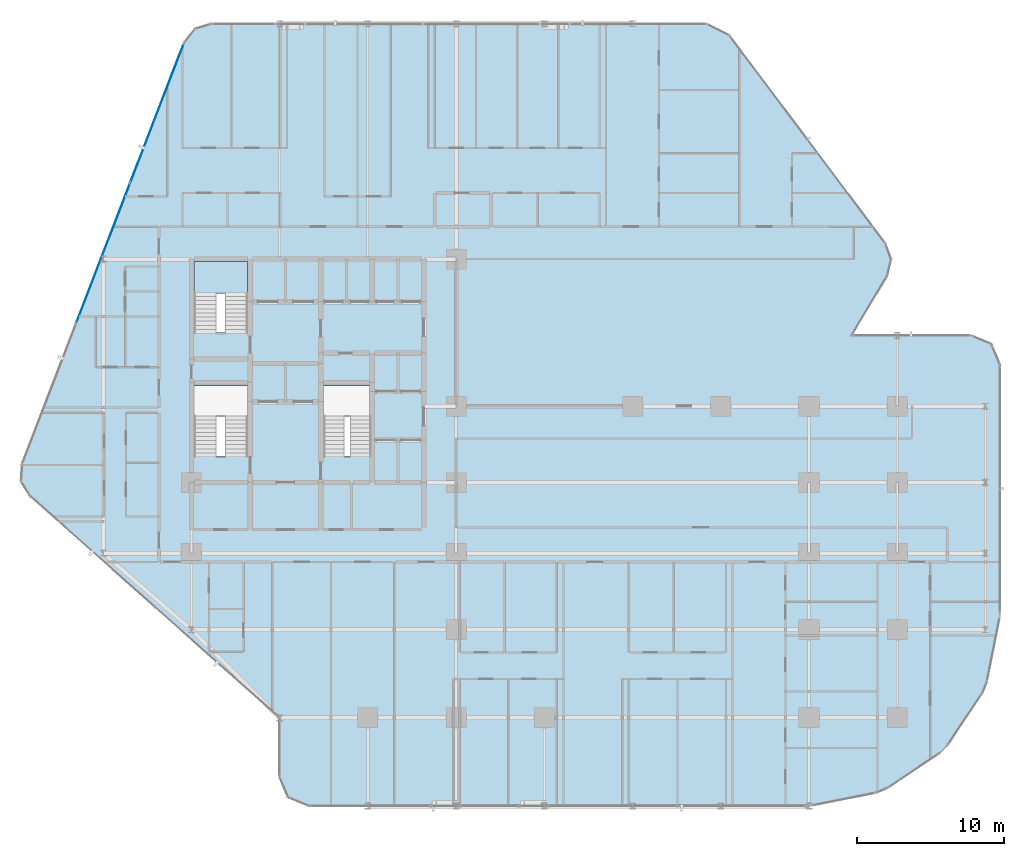
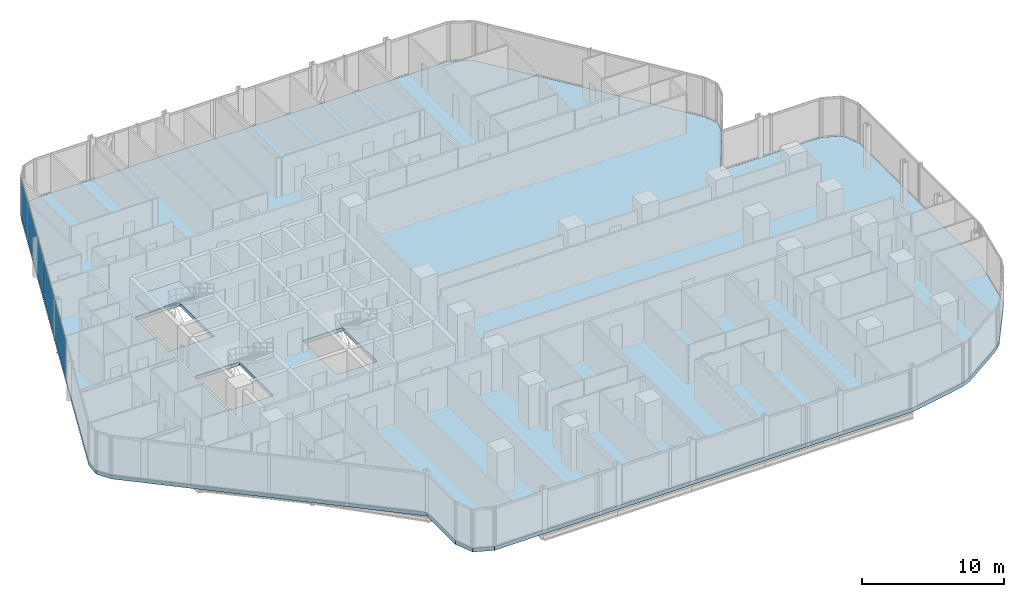
# One storey, part 23 of 34: 2 plates, 2 slabs, 2 elements without a shape of their own.
"""IFC4 building model written with IfcOpenShell, lengths in metres."""

from ifc_helpers import new_model, si_unit, direction, frame, origin, origin_2d, place, context, subcontext, project, spatial, polyline, rectangle, outline, extrude, material, layer, layer_set, type_object, element, aggregate, save


model = new_model("IFC4")

# Units and contexts
model_context = context("Model", 3, precision=1e-05, world=origin(), true_north=direction((0.0, 1.0)))
body_context = subcontext(model_context, "Body", "Model", "MODEL_VIEW")
ifc_project = project(units=[si_unit("LENGTHUNIT", "METRE"), si_unit("AREAUNIT", "SQUARE_METRE"), si_unit("VOLUMEUNIT", "CUBIC_METRE"), si_unit("PLANEANGLEUNIT", "RADIAN"), si_unit("MASSUNIT", "GRAM", prefix="KILO")], contexts=[model_context])

# Site, building, storey
site_placement = place(None, origin())
site = spatial("IfcSite", under=ifc_project, at=site_placement, CompositionType="ELEMENT")
building_placement = place(site_placement, origin())
building = spatial("IfcBuilding", under=site, at=building_placement, Name="Keshet Zoharim Tower", CompositionType="ELEMENT")
storey_placement = place(building_placement, frame((0.0, 0.0, 46.199951171875)))
storey = spatial("IfcBuildingStorey", under=building, at=storey_placement, Name="L10", CompositionType="ELEMENT", Elevation=46.199951171875)

# Curtain wall, plates
ifc_material_1 = material(Name="Aluminium 6063-T6", Category="aluminium")
ifc_layer_1 = layer(ifc_material_1, 0.179931640625)
ifc_layer_set_1 = layer_set([ifc_layer_1], Name="Aluminium 6063-T6")
curtain_wall_type = type_object("IfcCurtainWallType", Name="CW-SYS-01", PredefinedType="NOTDEFINED", material=ifc_layer_set_1)
curtain_wall_placement = place(storey_placement, origin())
curtain_wall = element("IfcCurtainWall", 1, at=curtain_wall_placement, inside=storey, type_object=curtain_wall_type, Name="L10 Unitised Curtain Wall 04", PredefinedType="NOTDEFINED")
ifc_material_2 = material(Name="Insulated Low-E Clear Glass", Category="glass")
ifc_layer_2 = layer(ifc_material_2, 0.035888671875)
ifc_layer_set_2 = layer_set([ifc_layer_2], Name="Insulated Low-E Clear Glass")
plate_type = type_object("IfcPlateType", Name="CWP-01", PredefinedType="CURTAIN_PANEL", material=ifc_layer_set_2)
plate_1_placement = place(storey_placement, frame((9.001953125, 38.305419921875, 0.070068359375), z_axis=(0.0, 0.0, 1.0), x_axis=(0.358990003907, 0.933341404361, 0.0)))
plate_1 = element("IfcPlate", 2, at=plate_1_placement, type_object=plate_type, Name="CW-01 panel 2.1", PredefinedType="CURTAIN_PANEL", context=body_context, shape_type="SweptSolid", body=[
    extrude(rectangle(XDim=10.153076171875, YDim=0.035888671875, at=origin_2d()), origin(), (0.0, 0.0, 1.0), 3.2451171875),
])
plate_2_placement = place(storey_placement, frame((12.665771484375, 47.830810546875, 0.070068359375), z_axis=(0.0, 0.0, 1.0), x_axis=(0.358990003907, 0.933341404361, 0.0)))
plate_2 = element("IfcPlate", 3, at=plate_2_placement, type_object=plate_type, Name="CW-01 panel 3.1", PredefinedType="CURTAIN_PANEL", context=body_context, shape_type="SweptSolid", body=[
    extrude(rectangle(XDim=10.1181640625, YDim=0.035888671875, at=origin_2d()), origin(), (0.0, 0.0, 1.0), 3.2451171875),
])
aggregate(curtain_wall, [plate_1, plate_2])

# Stair, slab
ifc_material_3 = material(Name="Concrete C50/60", Category="concrete")
stair_type = type_object("IfcStairType", Name="STR-EXIT-135", PredefinedType="HALF_TURN_STAIR", material=ifc_material_3)
stair_placement = place(storey_placement, origin())
stair = element("IfcStair", 4, at=stair_placement, inside=storey, type_object=stair_type, Name="L10 Enclosed Exit Stair ST-02", PredefinedType="HALF_TURN_STAIR")
ifc_layer_3 = layer(ifc_material_3, 0.199951171875)
ifc_layer_set_3 = layer_set([ifc_layer_3], Name="Concrete C50/60")
slab_type_1 = type_object("IfcSlabType", Name="SLB-LND-200", PredefinedType="LANDING", material=ifc_layer_set_3)
slab_1_placement = place(storey_placement, frame((0.0, 0.0, 1.650146484375)))
slab_1 = element("IfcSlab", 5, at=slab_1_placement, type_object=slab_type_1, Name="ST-02 landing 1", PredefinedType="LANDING", context=body_context, shape_type="SweptSolid", body=[
    extrude(outline(polyline([(15.179931640625, 35.56005859375), (18.820068359375, 35.56005859375), (18.820068359375, 37.719970703125), (15.179931640625, 37.719970703125), (15.179931640625, 35.56005859375)])), origin(), (0.0, 0.0, 1.0), 0.199951171875),
])
aggregate(stair, [slab_1])

# Slab
ifc_layer_4 = layer(ifc_material_3, 0.31494140625)
ifc_layer_set_4 = layer_set([ifc_layer_4], Name="Concrete C50/60")
slab_type_2 = type_object("IfcSlabType", Name="SLB-LOW-260", PredefinedType="FLOOR", material=ifc_layer_set_4)
slab_2_placement = place(storey_placement, frame((0.0, 0.0, -0.31494140625)))
element("IfcSlab", 6, at=slab_2_placement, inside=storey, type_object=slab_type_2, Name="L10 Structural Floor Slab 1", PredefinedType="FLOOR", context=body_context, shape_type="SweptSolid", body=[
    extrude(outline(polyline([(21.0, 6.699951171875), (4.034912109375, 21.780029296875), (3.419921875, 22.802001953125), (3.4970703125, 23.992919921875), (14.507080078125, 52.617919921875), (15.240966796875, 53.549072265625), (16.3740234375, 53.89990234375), (50.0, 53.89990234375), (51.60009765625, 53.10009765625), (62.193115234375, 38.97607421875), (62.590087890625, 37.87890625), (62.30810546875, 36.7470703125), (59.8798828125, 32.699951171875), (68.0, 32.699951171875), (69.4140625, 32.114013671875), (70.0, 30.699951171875), (70.0, 13.89697265625), (69.9619140625, 13.507080078125), (69.087890625, 9.114990234375), (68.7890625, 8.39404296875), (66.4130859375, 4.837890625), (65.862060546875, 4.287109375), (62.305908203125, 1.910888671875), (61.5849609375, 1.612060546875), (57.193115234375, 0.738037109375), (56.802978515625, 0.699951171875), (23.0, 0.699951171875), (21.5859375, 1.285888671875), (21.0, 2.699951171875), (21.0, 6.699951171875)]), holes=[polyline([(15.179931640625, 24.52001953125), (18.820068359375, 24.52001953125), (18.820068359375, 29.320068359375), (15.179931640625, 29.320068359375), (15.179931640625, 24.52001953125)]), polyline([(15.179931640625, 32.919921875), (18.820068359375, 32.919921875), (18.820068359375, 37.719970703125), (15.179931640625, 37.719970703125), (15.179931640625, 32.919921875)]), polyline([(23.97998046875, 24.52001953125), (27.219970703125, 24.52001953125), (27.219970703125, 29.320068359375), (23.97998046875, 29.320068359375), (23.97998046875, 24.52001953125)])]), origin(), (0.0, 0.0, 1.0), 0.31494140625),
])

save(model, "model.ifc")
